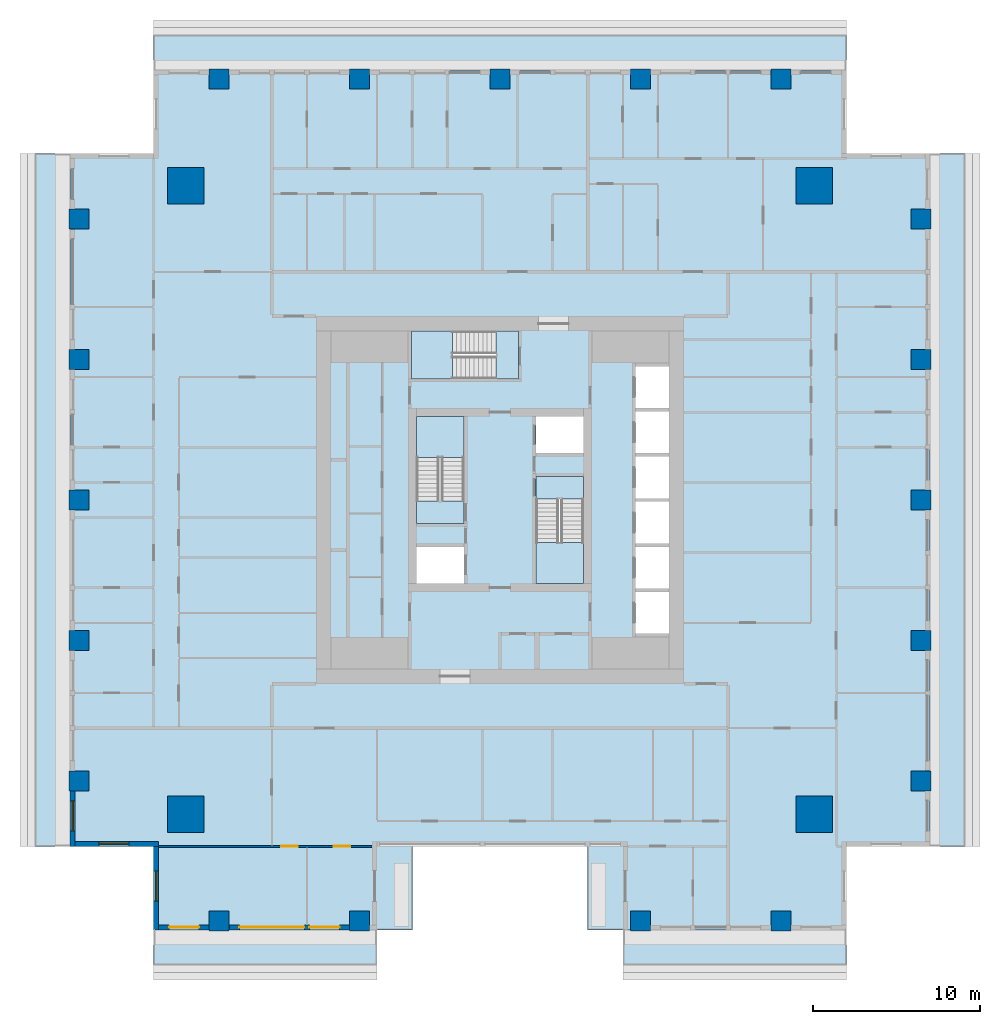
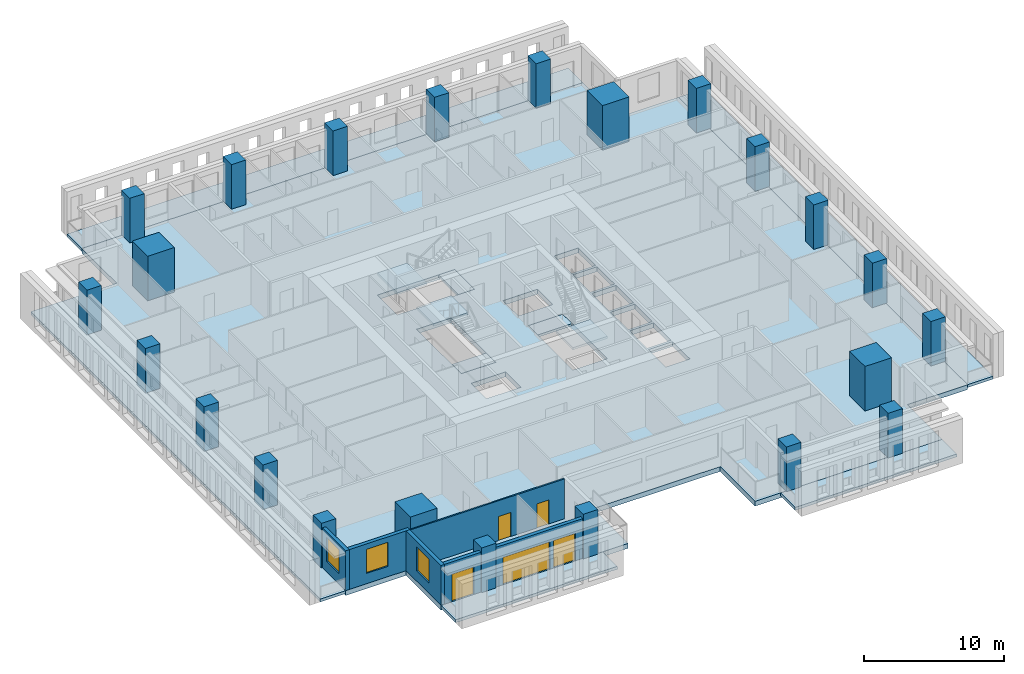
# One storey, part 1 of 15: 23 columns, 12 slabs, 6 walls, 5 doors, 3 windows, 8 openings, 3 elements without a shape of their own.
"""IFC4 building model written with IfcOpenShell, lengths in metres."""

from ifc_helpers import new_model, si_unit, direction, frame, frame_2d, origin, origin_2d, place, context, subcontext, project, spatial, polyline, rectangle, outline, extrude, material, layer, layer_set, material_profile, profile_set, type_object, element, fill, aggregate, save


model = new_model("IFC4")

# Units and contexts
model_context = context("Model", 3, precision=1e-05, world=origin(), true_north=direction((0.0, 1.0)))
body_context = subcontext(model_context, "Body", "Model", "MODEL_VIEW")
ifc_project = project(units=[si_unit("LENGTHUNIT", "METRE"), si_unit("AREAUNIT", "SQUARE_METRE"), si_unit("VOLUMEUNIT", "CUBIC_METRE"), si_unit("PLANEANGLEUNIT", "RADIAN"), si_unit("MASSUNIT", "GRAM", prefix="KILO")], contexts=[model_context])

# Site, building, storey
site_placement = place(None, origin())
site = spatial("IfcSite", under=ifc_project, at=site_placement, CompositionType="ELEMENT")
building_placement = place(site_placement, origin())
building = spatial("IfcBuilding", under=site, at=building_placement, Name="Khepri Terraces", CompositionType="ELEMENT")
storey_placement = place(building_placement, frame((0.0, 0.0, 256.199951171875)))
storey = spatial("IfcBuildingStorey", under=building, at=storey_placement, Name="L61", CompositionType="ELEMENT", Elevation=256.199951171875)

# Columns
ifc_material_1 = material(Name="Concrete C40/50", Category="concrete")
ifc_material_profile_1 = material_profile(ifc_material_1, rectangle(XDim=2.199951171875, YDim=2.199951171875, at=origin_2d()), Name="Concrete C40/50", Category="concrete")
ifc_profile_set_1 = profile_set([ifc_material_profile_1], Name="Concrete C40/50")
column_type_1 = type_object("IfcColumnType", Name="Mega column RC 2200x2200 C40/50", PredefinedType="COLUMN", material=ifc_profile_set_1)
for number, where, z_axis, x_axis, name in (
    (1, (18.800048828125, 18.800048828125, 0.0), (0.0, 0.0, 1.0), (1.0, 0.0, 0.0), "Mega column MEN L61"),
    (2, (18.800048828125, -18.800048828125, 0.0), (0.0, 0.0, 1.0), (1.0, 0.0, 0.0), "Mega column MES L61"),
    (3, (-18.800048828125, 18.800048828125, 0.0), (0.0, 0.0, 1.0), (1.0, 0.0, 0.0), "Mega column MWN L61"),
    (4, (-18.800048828125, -18.800048828125, 0.0), (0.0, 0.0, 1.0), (1.0, 0.0, 0.0), "Mega column MWS L61"),
):
    element("IfcColumn", number, at=place(storey_placement, frame(where, z_axis=z_axis, x_axis=x_axis)), inside=storey, type_object=column_type_1, Name=name, PredefinedType="COLUMN", context=body_context, shape_type="SweptSolid", body=[
        extrude(rectangle(XDim=2.199951171875, YDim=2.199951171875, at=origin_2d()), origin(), (0.0, 0.0, 1.0), 3.900146484375),
    ])
ifc_material_profile_2 = material_profile(ifc_material_1, rectangle(XDim=1.199951171875, YDim=1.199951171875, at=origin_2d()), Name="Concrete C40/50", Category="concrete")
ifc_profile_set_2 = profile_set([ifc_material_profile_2], Name="Concrete C40/50")
column_type_2 = type_object("IfcColumnType", Name="Tower column RC 1200x1200 C40/50", PredefinedType="COLUMN", material=ifc_profile_set_2)
for number, where, z_axis, x_axis, name in (
    (5, (25.199951171875, 0.0, 0.0), (0.0, 0.0, 1.0), (1.0, 0.0, 0.0), "Perimeter column PE+000b L61"),
    (6, (25.199951171875, 8.39990234375, 0.0), (0.0, 0.0, 1.0), (1.0, 0.0, 0.0), "Perimeter column PE+084b L61"),
    (7, (25.199951171875, 16.800048828125, 0.0), (0.0, 0.0, 1.0), (1.0, 0.0, 0.0), "Perimeter column PE+168a L61"),
    (8, (25.199951171875, -8.39990234375, 0.0), (0.0, 0.0, 1.0), (1.0, 0.0, 0.0), "Perimeter column PE-084b L61"),
    (9, (25.199951171875, -16.800048828125, 0.0), (0.0, 0.0, 1.0), (1.0, 0.0, 0.0), "Perimeter column PE-168a L61"),
    (10, (0.0, 25.199951171875, 0.0), (0.0, 0.0, 1.0), (1.0, 0.0, 0.0), "Perimeter column PN+000b L61"),
    (11, (-8.39990234375, 25.199951171875, 0.0), (0.0, 0.0, 1.0), (1.0, 0.0, 0.0), "Perimeter column PN+084b L61"),
    (12, (-16.800048828125, 25.199951171875, 0.0), (0.0, 0.0, 1.0), (1.0, 0.0, 0.0), "Perimeter column PN+168a L61"),
    (13, (8.39990234375, 25.199951171875, 0.0), (0.0, 0.0, 1.0), (1.0, 0.0, 0.0), "Perimeter column PN-084b L61"),
    (14, (16.800048828125, 25.199951171875, 0.0), (0.0, 0.0, 1.0), (1.0, 0.0, 0.0), "Perimeter column PN-168a L61"),
    (15, (8.39990234375, -25.199951171875, 0.0), (0.0, 0.0, 1.0), (1.0, 0.0, 0.0), "Perimeter column PS+084b L61"),
    (16, (16.800048828125, -25.199951171875, 0.0), (0.0, 0.0, 1.0), (1.0, 0.0, 0.0), "Perimeter column PS+168a L61"),
    (17, (-8.39990234375, -25.199951171875, 0.0), (0.0, 0.0, 1.0), (1.0, 0.0, 0.0), "Perimeter column PS-084b L61"),
    (18, (-16.800048828125, -25.199951171875, 0.0), (0.0, 0.0, 1.0), (1.0, 0.0, 0.0), "Perimeter column PS-168a L61"),
    (19, (-25.199951171875, 0.0, 0.0), (0.0, 0.0, 1.0), (1.0, 0.0, 0.0), "Perimeter column PW+000b L61"),
    (20, (-25.199951171875, -8.39990234375, 0.0), (0.0, 0.0, 1.0), (1.0, 0.0, 0.0), "Perimeter column PW+084b L61"),
    (21, (-25.199951171875, -16.800048828125, 0.0), (0.0, 0.0, 1.0), (1.0, 0.0, 0.0), "Perimeter column PW+168a L61"),
    (22, (-25.199951171875, 8.39990234375, 0.0), (0.0, 0.0, 1.0), (1.0, 0.0, 0.0), "Perimeter column PW-084b L61"),
    (23, (-25.199951171875, 16.800048828125, 0.0), (0.0, 0.0, 1.0), (1.0, 0.0, 0.0), "Perimeter column PW-168a L61"),
):
    element("IfcColumn", number, at=place(storey_placement, frame(where, z_axis=z_axis, x_axis=x_axis)), inside=storey, type_object=column_type_2, Name=name, PredefinedType="COLUMN", context=body_context, shape_type="SweptSolid", body=[
        extrude(rectangle(XDim=1.199951171875, YDim=1.199951171875, at=origin_2d()), origin(), (0.0, 0.0, 1.0), 3.900146484375),
    ])

# Slabs
ifc_layer_1 = layer(ifc_material_1, 0.419921875, Name="Concrete C40/50", Category="concrete")
ifc_layer_set_1 = layer_set([ifc_layer_1], Name="Concrete C40/50")
slab_type_1 = type_object("IfcSlabType", Name="Flat plate 420", PredefinedType="FLOOR", material=ifc_layer_set_1)
slab_1_placement = place(storey_placement, frame((0.0, 0.0, -0.419921875)))
element("IfcSlab", 24, at=slab_1_placement, inside=storey, type_object=slab_type_1, Name="Floor slab F01 L61", PredefinedType="FLOOR", context=body_context, shape_type="SweptSolid", body=[
    extrude(outline(polyline([(25.719970703125, -20.719970703125), (20.719970703125, -20.719970703125), (20.719970703125, -25.719970703125), (7.35009765625, -25.719970703125), (5.25, -25.719970703125), (5.25, -20.719970703125), (-5.25, -20.719970703125), (-5.25, -25.719970703125), (-7.35009765625, -25.719970703125), (-20.719970703125, -25.719970703125), (-20.719970703125, -20.719970703125), (-25.719970703125, -20.719970703125), (-25.719970703125, 20.719970703125), (-20.719970703125, 20.719970703125), (-20.719970703125, 25.719970703125), (20.719970703125, 25.719970703125), (20.719970703125, 20.719970703125), (25.719970703125, 20.719970703125), (25.719970703125, -20.719970703125)]), holes=[polyline([(2.14990234375, 2.800048828125), (5.0, 2.800048828125), (5.0, 5.0), (2.14990234375, 5.0), (2.14990234375, 2.800048828125)]), polyline([(-5.0, -2.800048828125), (-5.0, -5.0), (-2.14990234375, -5.0), (-2.14990234375, -2.800048828125), (-5.0, -2.800048828125)]), polyline([(10.10009765625, -5.5), (8.10009765625, -5.5), (8.10009765625, -8.0), (10.10009765625, -8.0), (10.10009765625, -5.5)]), polyline([(10.10009765625, -5.300048828125), (10.10009765625, -2.800048828125), (8.10009765625, -2.800048828125), (8.10009765625, -5.300048828125), (10.10009765625, -5.300048828125)]), polyline([(8.10009765625, -2.60009765625), (10.10009765625, -2.60009765625), (10.10009765625, -0.10009765625), (8.10009765625, -0.10009765625), (8.10009765625, -2.60009765625)]), polyline([(8.10009765625, 2.60009765625), (8.10009765625, 0.10009765625), (10.10009765625, 0.10009765625), (10.10009765625, 2.60009765625), (8.10009765625, 2.60009765625)]), polyline([(10.10009765625, 5.300048828125), (8.10009765625, 5.300048828125), (8.10009765625, 2.800048828125), (10.10009765625, 2.800048828125), (10.10009765625, 5.300048828125)]), polyline([(10.10009765625, 5.5), (10.10009765625, 8.0), (8.10009765625, 8.0), (8.10009765625, 5.5), (10.10009765625, 5.5)]), polyline([(-5.0, -1.39990234375), (-2.14990234375, -1.39990234375), (-2.14990234375, 5.0), (-5.0, 5.0), (-5.0, -1.39990234375)]), polyline([(5.0, -5.0), (5.0, 1.39990234375), (2.14990234375, 1.39990234375), (2.14990234375, -5.0), (5.0, -5.0)]), polyline([(-5.300048828125, 10.10009765625), (-5.300048828125, 7.25), (1.10009765625, 7.25), (1.10009765625, 10.10009765625), (-5.300048828125, 10.10009765625)])]), origin(), (0.0, 0.0, 1.0), 0.419921875),
])
ifc_material_2 = material(Name="Precast concrete C50/60 warm stone", Category="masonry")
ifc_layer_2 = layer(ifc_material_2, 0.25, Name="Precast concrete C50/60 warm stone", Category="masonry")
ifc_layer_set_2 = layer_set([ifc_layer_2], Name="Precast concrete C50/60 warm stone")
slab_type_2 = type_object("IfcSlabType", Name="SLB-BALCONY-250", PredefinedType="FLOOR", material=ifc_layer_set_2)
slab_2_placement = place(storey_placement, frame((0.0, 0.0, -0.25)))
element("IfcSlab", 25, at=slab_2_placement, inside=storey, type_object=slab_type_2, Name="Balcony slab L61 S", PredefinedType="FLOOR", context=body_context, shape_type="SweptSolid", body=[
    extrude(outline(polyline([(-17.39990234375, -25.719970703125), (-20.719970703125, -25.719970703125), (-20.719970703125, -27.820068359375), (-7.35009765625, -27.820068359375), (-7.35009765625, -25.719970703125), (-7.800048828125, -25.719970703125), (-7.800048828125, -25.800048828125), (-9.0, -25.800048828125), (-9.0, -25.719970703125), (-16.199951171875, -25.719970703125), (-16.199951171875, -25.800048828125), (-17.39990234375, -25.800048828125), (-17.39990234375, -25.719970703125)])), origin(), (0.0, 0.0, 1.0), 0.25),
])
slab_3_placement = place(storey_placement, frame((0.0, 0.0, -0.25)))
element("IfcSlab", 26, at=slab_3_placement, inside=storey, type_object=slab_type_2, Name="Balcony slab L61 S", PredefinedType="FLOOR", context=body_context, shape_type="SweptSolid", body=[
    extrude(outline(polyline([(7.800048828125, -25.719970703125), (7.35009765625, -25.719970703125), (7.35009765625, -27.820068359375), (20.719970703125, -27.820068359375), (20.719970703125, -25.719970703125), (17.39990234375, -25.719970703125), (17.39990234375, -25.800048828125), (16.199951171875, -25.800048828125), (16.199951171875, -25.719970703125), (9.0, -25.719970703125), (9.0, -25.800048828125), (7.800048828125, -25.800048828125), (7.800048828125, -25.719970703125)])), origin(), (0.0, 0.0, 1.0), 0.25),
])
slab_4_placement = place(storey_placement, frame((0.0, 0.0, -0.25)))
element("IfcSlab", 27, at=slab_4_placement, inside=storey, type_object=slab_type_2, Name="Balcony slab L61 E", PredefinedType="FLOOR", context=body_context, shape_type="SweptSolid", body=[
    extrude(outline(polyline([(25.719970703125, -17.39990234375), (25.719970703125, -20.719970703125), (27.820068359375, -20.719970703125), (27.820068359375, 20.719970703125), (25.719970703125, 20.719970703125), (25.719970703125, 17.39990234375), (25.800048828125, 17.39990234375), (25.800048828125, 16.199951171875), (25.719970703125, 16.199951171875), (25.719970703125, 9.0), (25.800048828125, 9.0), (25.800048828125, 7.800048828125), (25.719970703125, 7.800048828125), (25.719970703125, 0.60009765625), (25.800048828125, 0.60009765625), (25.800048828125, -0.60009765625), (25.719970703125, -0.60009765625), (25.719970703125, -7.800048828125), (25.800048828125, -7.800048828125), (25.800048828125, -9.0), (25.719970703125, -9.0), (25.719970703125, -16.199951171875), (25.800048828125, -16.199951171875), (25.800048828125, -17.39990234375), (25.719970703125, -17.39990234375)])), origin(), (0.0, 0.0, 1.0), 0.25),
])
slab_5_placement = place(storey_placement, frame((0.0, 0.0, -0.25)))
element("IfcSlab", 28, at=slab_5_placement, inside=storey, type_object=slab_type_2, Name="Balcony slab L61 N", PredefinedType="FLOOR", context=body_context, shape_type="SweptSolid", body=[
    extrude(outline(polyline([(17.39990234375, 25.719970703125), (20.719970703125, 25.719970703125), (20.719970703125, 27.820068359375), (-20.719970703125, 27.820068359375), (-20.719970703125, 25.719970703125), (-17.39990234375, 25.719970703125), (-17.39990234375, 25.800048828125), (-16.199951171875, 25.800048828125), (-16.199951171875, 25.719970703125), (-9.0, 25.719970703125), (-9.0, 25.800048828125), (-7.800048828125, 25.800048828125), (-7.800048828125, 25.719970703125), (-0.60009765625, 25.719970703125), (-0.60009765625, 25.800048828125), (0.60009765625, 25.800048828125), (0.60009765625, 25.719970703125), (7.800048828125, 25.719970703125), (7.800048828125, 25.800048828125), (9.0, 25.800048828125), (9.0, 25.719970703125), (16.199951171875, 25.719970703125), (16.199951171875, 25.800048828125), (17.39990234375, 25.800048828125), (17.39990234375, 25.719970703125)])), origin(), (0.0, 0.0, 1.0), 0.25),
])
slab_6_placement = place(storey_placement, frame((0.0, 0.0, -0.25)))
element("IfcSlab", 29, at=slab_6_placement, inside=storey, type_object=slab_type_2, Name="Balcony slab L61 W", PredefinedType="FLOOR", context=body_context, shape_type="SweptSolid", body=[
    extrude(outline(polyline([(-25.719970703125, 17.39990234375), (-25.719970703125, 20.719970703125), (-27.820068359375, 20.719970703125), (-27.820068359375, -20.719970703125), (-25.719970703125, -20.719970703125), (-25.719970703125, -17.39990234375), (-25.800048828125, -17.39990234375), (-25.800048828125, -16.199951171875), (-25.719970703125, -16.199951171875), (-25.719970703125, -9.0), (-25.800048828125, -9.0), (-25.800048828125, -7.800048828125), (-25.719970703125, -7.800048828125), (-25.719970703125, -0.60009765625), (-25.800048828125, -0.60009765625), (-25.800048828125, 0.60009765625), (-25.719970703125, 0.60009765625), (-25.719970703125, 7.800048828125), (-25.800048828125, 7.800048828125), (-25.800048828125, 9.0), (-25.719970703125, 9.0), (-25.719970703125, 16.199951171875), (-25.800048828125, 16.199951171875), (-25.800048828125, 17.39990234375), (-25.719970703125, 17.39990234375)])), origin(), (0.0, 0.0, 1.0), 0.25),
])

# Stair, slabs
stair_type = type_object("IfcStairType", Name="STAIR-RC-22R", PredefinedType="HALF_TURN_STAIR", material=ifc_material_1)
stair_1_placement = place(storey_placement, origin())
stair_1 = element("IfcStair", 30, at=stair_1_placement, inside=storey, type_object=stair_type, Name="L61 Exit Stair ST-1", PredefinedType="HALF_TURN_STAIR")
ifc_layer_3 = layer(ifc_material_1, 0.199951171875, Name="Concrete C40/50", Category="concrete")
ifc_layer_set_3 = layer_set([ifc_layer_3], Name="Concrete C40/50")
slab_type_3 = type_object("IfcSlabType", Name="SLB-CORE-LANDING", PredefinedType="LANDING", material=ifc_layer_set_3)
slab_7_placement = place(storey_placement, frame((0.0, 0.0, -0.199951171875)))
slab_7 = element("IfcSlab", 31, at=slab_7_placement, type_object=slab_type_3, Name="ST-1 landing 1", PredefinedType="LANDING", context=body_context, shape_type="SweptSolid", body=[
    extrude(outline(polyline([(-2.14990234375, -1.39990234375), (-2.14990234375, -0.050048828125), (-5.0, -0.050048828125), (-5.0, -1.39990234375), (-2.14990234375, -1.39990234375)])), origin(), (0.0, 0.0, 1.0), 0.199951171875),
])
slab_8_placement = place(storey_placement, frame((0.0, 0.0, 1.75)))
slab_8 = element("IfcSlab", 32, at=slab_8_placement, type_object=slab_type_3, Name="ST-1 landing 2", PredefinedType="LANDING", context=body_context, shape_type="SweptSolid", body=[
    extrude(outline(polyline([(-2.14990234375, 2.550048828125), (-2.14990234375, 5.0), (-5.0, 5.0), (-5.0, 2.550048828125), (-2.14990234375, 2.550048828125)])), origin(), (0.0, 0.0, 1.0), 0.199951171875),
])
aggregate(stair_1, [slab_7, slab_8])

stair_2_placement = place(storey_placement, origin())
stair_2 = element("IfcStair", 33, at=stair_2_placement, inside=storey, type_object=stair_type, Name="L61 Exit Stair ST-2", PredefinedType="HALF_TURN_STAIR")
slab_9_placement = place(storey_placement, frame((0.0, 0.0, -0.199951171875)))
slab_9 = element("IfcSlab", 34, at=slab_9_placement, type_object=slab_type_3, Name="ST-2 landing 1", PredefinedType="LANDING", context=body_context, shape_type="SweptSolid", body=[
    extrude(outline(polyline([(2.14990234375, 1.39990234375), (2.14990234375, 0.050048828125), (5.0, 0.050048828125), (5.0, 1.39990234375), (2.14990234375, 1.39990234375)])), origin(), (0.0, 0.0, 1.0), 0.199951171875),
])
slab_10_placement = place(storey_placement, frame((0.0, 0.0, 1.75)))
slab_10 = element("IfcSlab", 35, at=slab_10_placement, type_object=slab_type_3, Name="ST-2 landing 2", PredefinedType="LANDING", context=body_context, shape_type="SweptSolid", body=[
    extrude(outline(polyline([(2.14990234375, -2.550048828125), (2.14990234375, -5.0), (5.0, -5.0), (5.0, -2.550048828125), (2.14990234375, -2.550048828125)])), origin(), (0.0, 0.0, 1.0), 0.199951171875),
])
aggregate(stair_2, [slab_9, slab_10])

stair_3_placement = place(storey_placement, origin())
stair_3 = element("IfcStair", 36, at=stair_3_placement, inside=storey, type_object=stair_type, Name="L61 Exit Stair ST-3", PredefinedType="HALF_TURN_STAIR")
slab_11_placement = place(storey_placement, frame((0.0, 0.0, -0.199951171875)))
slab_11 = element("IfcSlab", 37, at=slab_11_placement, type_object=slab_type_3, Name="ST-3 landing 1", PredefinedType="LANDING", context=body_context, shape_type="SweptSolid", body=[
    extrude(outline(polyline([(1.10009765625, 10.10009765625), (-0.25, 10.10009765625), (-0.25, 7.25), (1.10009765625, 7.25), (1.10009765625, 10.10009765625)])), origin(), (0.0, 0.0, 1.0), 0.199951171875),
])
slab_12_placement = place(storey_placement, frame((0.0, 0.0, 1.75)))
slab_12 = element("IfcSlab", 38, at=slab_12_placement, type_object=slab_type_3, Name="ST-3 landing 2", PredefinedType="LANDING", context=body_context, shape_type="SweptSolid", body=[
    extrude(outline(polyline([(-2.85009765625, 10.10009765625), (-5.300048828125, 10.10009765625), (-5.300048828125, 7.25), (-2.85009765625, 7.25), (-2.85009765625, 10.10009765625)])), origin(), (0.0, 0.0, 1.0), 0.199951171875),
])
aggregate(stair_3, [slab_11, slab_12])

# Wall, opening, window
ifc_layer_4 = layer(ifc_material_2, 0.300048828125, Name="Precast concrete C50/60 warm stone", Category="masonry")
ifc_layer_set_4 = layer_set([ifc_layer_4], Name="Precast concrete C50/60 warm stone")
wall_type_1 = type_object("IfcWallType", Name="WL-EXT-PRECAST-300", PredefinedType="STANDARD", material=ifc_layer_set_4)
wall_1_placement = place(storey_placement, frame((-25.570068359375, -17.39990234375, 0.0), z_axis=(0.0, 0.0, 1.0), x_axis=(0.0, -1.0, 0.0)))
wall_1 = element("IfcWall", 39, at=wall_1_placement, inside=storey, type_object=wall_type_1, Name="External wall L61 W", PredefinedType="STANDARD", context=body_context, shape_type="SweptSolid", body=[
    extrude(rectangle(XDim=3.320068359375, YDim=0.300048828125, at=frame_2d((1.66015625, 0.0))), origin(), (0.0, 0.0, 1.0), 3.47998046875),
])
opening_1_placement = place(wall_1_placement, frame((0.60009765625, 0.0, 0.89990234375)))
opening_1 = element("IfcOpeningElement", 40, at=opening_1_placement, cuts=wall_1, Name="Opening W1", PredefinedType="OPENING", context=body_context, shape_type="SweptSolid", body=[
    extrude(rectangle(XDim=1.800048828125, YDim=2.10009765625, at=frame_2d((0.89990234375, 1.050048828125))), frame((0.0, 0.16015625, 0.0), z_axis=(0.0, -1.0, 0.0), x_axis=(1.0, 0.0, 0.0)), (0.0, 0.0, 1.0), 0.320068359375),
])
ifc_material_3 = material(Name="Clear glass", Category="glass")
window_type = type_object("IfcWindowType", Name="WIN-RES-1800x2100", PartitioningType="SINGLE_PANEL", PredefinedType="WINDOW", material=ifc_material_3)
window_1_placement = place(opening_1_placement, origin())
window_1 = element("IfcWindow", 41, at=window_1_placement, inside=storey, type_object=window_type, Name="Window L61 W", OverallHeight=2.10009765625, OverallWidth=1.800048828125, PartitioningType="SINGLE_PANEL", PredefinedType="WINDOW", context=body_context, shape_type="SweptSolid", body=[
    extrude(rectangle(XDim=1.800048828125, YDim=2.10009765625, at=frame_2d((0.89990234375, 1.050048828125))), frame((0.0, 0.030029296875, 0.0), z_axis=(0.0, -1.0, 0.0), x_axis=(1.0, 0.0, 0.0)), (0.0, 0.0, 1.0), 0.06005859375),
])
fill(opening_1, window_1)

wall_2_placement = place(storey_placement, frame((-25.419921875, -20.570068359375, 0.0), z_axis=(0.0, 0.0, 1.0), x_axis=(1.0, 0.0, 0.0)))
wall_2 = element("IfcWall", 42, at=wall_2_placement, inside=storey, type_object=wall_type_1, Name="External wall L61 S", PredefinedType="STANDARD", context=body_context, shape_type="SweptSolid", body=[
    extrude(rectangle(XDim=5.0, YDim=0.300048828125, at=frame_2d((2.5, 0.0))), origin(), (0.0, 0.0, 1.0), 3.47998046875),
])
opening_2_placement = place(wall_2_placement, frame((1.419921875, 0.0, 0.89990234375)))
opening_2 = element("IfcOpeningElement", 43, at=opening_2_placement, cuts=wall_2, Name="Opening W1", PredefinedType="OPENING", context=body_context, shape_type="SweptSolid", body=[
    extrude(rectangle(XDim=1.800048828125, YDim=2.10009765625, at=frame_2d((0.89990234375, 1.050048828125))), frame((0.0, 0.16015625, 0.0), z_axis=(0.0, -1.0, 0.0), x_axis=(1.0, 0.0, 0.0)), (0.0, 0.0, 1.0), 0.320068359375),
])
window_2_placement = place(opening_2_placement, origin())
window_2 = element("IfcWindow", 44, at=window_2_placement, inside=storey, type_object=window_type, Name="Window L61 S", OverallHeight=2.10009765625, OverallWidth=1.800048828125, PartitioningType="SINGLE_PANEL", PredefinedType="WINDOW", context=body_context, shape_type="SweptSolid", body=[
    extrude(rectangle(XDim=1.800048828125, YDim=2.10009765625, at=frame_2d((0.89990234375, 1.050048828125))), frame((0.0, 0.030029296875, 0.0), z_axis=(0.0, -1.0, 0.0), x_axis=(1.0, 0.0, 0.0)), (0.0, 0.0, 1.0), 0.06005859375),
])
fill(opening_2, window_2)

wall_3_placement = place(storey_placement, frame((-20.570068359375, -20.719970703125, 0.0), z_axis=(0.0, 0.0, 1.0), x_axis=(0.0, -1.0, 0.0)))
wall_3 = element("IfcWall", 45, at=wall_3_placement, inside=storey, type_object=wall_type_1, Name="External wall L61 W", PredefinedType="STANDARD", context=body_context, shape_type="SweptSolid", body=[
    extrude(rectangle(XDim=5.0, YDim=0.300048828125, at=frame_2d((2.5, 0.0))), origin(), (0.0, 0.0, 1.0), 3.47998046875),
])
opening_3_placement = place(wall_3_placement, frame((1.47998046875, 0.0, 0.89990234375)))
opening_3 = element("IfcOpeningElement", 46, at=opening_3_placement, cuts=wall_3, Name="Opening W1", PredefinedType="OPENING", context=body_context, shape_type="SweptSolid", body=[
    extrude(rectangle(XDim=1.800048828125, YDim=2.10009765625, at=frame_2d((0.89990234375, 1.050048828125))), frame((0.0, 0.16015625, 0.0), z_axis=(0.0, -1.0, 0.0), x_axis=(1.0, 0.0, 0.0)), (0.0, 0.0, 1.0), 0.320068359375),
])
window_3_placement = place(opening_3_placement, origin())
window_3 = element("IfcWindow", 47, at=window_3_placement, inside=storey, type_object=window_type, Name="Window L61 W", OverallHeight=2.10009765625, OverallWidth=1.800048828125, PartitioningType="SINGLE_PANEL", PredefinedType="WINDOW", context=body_context, shape_type="SweptSolid", body=[
    extrude(rectangle(XDim=1.800048828125, YDim=2.10009765625, at=frame_2d((0.89990234375, 1.050048828125))), frame((0.0, 0.030029296875, 0.0), z_axis=(0.0, -1.0, 0.0), x_axis=(1.0, 0.0, 0.0)), (0.0, 0.0, 1.0), 0.06005859375),
])
fill(opening_3, window_3)

# Wall, opening, door
wall_4_placement = place(storey_placement, frame((-20.419921875, -25.570068359375, 0.0), z_axis=(0.0, 0.0, 1.0), x_axis=(1.0, 0.0, 0.0)))
wall_4 = element("IfcWall", 48, at=wall_4_placement, inside=storey, type_object=wall_type_1, Name="External wall L61 S", PredefinedType="STANDARD", context=body_context, shape_type="SweptSolid", body=[
    extrude(rectangle(XDim=3.02001953125, YDim=0.300048828125, at=frame_2d((1.510009765625, 0.0))), origin(), (0.0, 0.0, 1.0), 3.47998046875),
])
opening_4_placement = place(wall_4_placement, frame((0.6201171875, 0.0, 0.0)))
opening_4 = element("IfcOpeningElement", 49, at=opening_4_placement, cuts=wall_4, Name="Opening ED-L61-15", PredefinedType="OPENING", context=body_context, shape_type="SweptSolid", body=[
    extrude(rectangle(XDim=1.800048828125, YDim=2.39990234375, at=frame_2d((0.89990234375, 1.199951171875))), frame((0.0, 0.16015625, 0.0), z_axis=(0.0, -1.0, 0.0), x_axis=(1.0, 0.0, 0.0)), (0.0, 0.0, 1.0), 0.320068359375),
])
ifc_material_4 = material(Name="Anodised aluminium bronze glazed door", Category="aluminium")
door_type_1 = type_object("IfcDoorType", Name="DR-BAL-SLIDE-1800x2400", OperationType="NOTDEFINED", PredefinedType="DOOR", material=ifc_material_4)
door_1_placement = place(opening_4_placement, origin())
door_1 = element("IfcDoor", 50, at=door_1_placement, inside=storey, type_object=door_type_1, Name="Balcony door L61 S", OperationType="SLIDING_TO_RIGHT", OverallHeight=2.39990234375, OverallWidth=1.800048828125, PredefinedType="DOOR", context=body_context, shape_type="SweptSolid", body=[
    extrude(rectangle(XDim=1.800048828125, YDim=2.39990234375, at=frame_2d((0.89990234375, 1.199951171875))), frame((0.0, 0.02490234375, 0.0), z_axis=(0.0, -1.0, 0.0), x_axis=(1.0, 0.0, 0.0)), (0.0, 0.0, 1.0), 0.050048828125),
])
fill(opening_4, door_1)

# Wall, openings, doors
wall_5_placement = place(storey_placement, frame((-16.199951171875, -25.570068359375, 0.0), z_axis=(0.0, 0.0, 1.0), x_axis=(1.0, 0.0, 0.0)))
wall_5 = element("IfcWall", 51, at=wall_5_placement, inside=storey, type_object=wall_type_1, Name="External wall L61 S", PredefinedType="STANDARD", context=body_context, shape_type="SweptSolid", body=[
    extrude(rectangle(XDim=7.199951171875, YDim=0.300048828125, at=frame_2d((3.60009765625, 0.0))), origin(), (0.0, 0.0, 1.0), 3.47998046875),
])
opening_5_placement = place(wall_5_placement, frame((0.60009765625, 0.0, 0.0)))
opening_5 = element("IfcOpeningElement", 52, at=opening_5_placement, cuts=wall_5, Name="Opening ED-L61-16", PredefinedType="OPENING", context=body_context, shape_type="SweptSolid", body=[
    extrude(rectangle(XDim=3.89990234375, YDim=2.39990234375, at=frame_2d((1.949951171875, 1.199951171875))), frame((0.0, 0.16015625, 0.0), z_axis=(0.0, -1.0, 0.0), x_axis=(1.0, 0.0, 0.0)), (0.0, 0.0, 1.0), 0.320068359375),
])
opening_6_placement = place(wall_5_placement, frame((4.800048828125, 0.0, 0.0)))
opening_6 = element("IfcOpeningElement", 53, at=opening_6_placement, cuts=wall_5, Name="Opening ED-L61-17", PredefinedType="OPENING", context=body_context, shape_type="SweptSolid", body=[
    extrude(rectangle(XDim=1.800048828125, YDim=2.39990234375, at=frame_2d((0.89990234375, 1.199951171875))), frame((0.0, 0.16015625, 0.0), z_axis=(0.0, -1.0, 0.0), x_axis=(1.0, 0.0, 0.0)), (0.0, 0.0, 1.0), 0.320068359375),
])
door_2_placement = place(opening_6_placement, origin())
door_2 = element("IfcDoor", 54, at=door_2_placement, inside=storey, type_object=door_type_1, Name="Balcony door L61 S", OperationType="SLIDING_TO_RIGHT", OverallHeight=2.39990234375, OverallWidth=1.800048828125, PredefinedType="DOOR", context=body_context, shape_type="SweptSolid", body=[
    extrude(rectangle(XDim=1.800048828125, YDim=2.39990234375, at=frame_2d((0.89990234375, 1.199951171875))), frame((0.0, 0.02490234375, 0.0), z_axis=(0.0, -1.0, 0.0), x_axis=(1.0, 0.0, 0.0)), (0.0, 0.0, 1.0), 0.050048828125),
])
fill(opening_6, door_2)
door_type_2 = type_object("IfcDoorType", Name="DR-BAL-SLIDE-3900x2400", OperationType="NOTDEFINED", PredefinedType="DOOR", material=ifc_material_4)
door_3_placement = place(opening_5_placement, origin())
door_3 = element("IfcDoor", 55, at=door_3_placement, inside=storey, type_object=door_type_2, Name="Balcony door L61 S", OperationType="SLIDING_TO_LEFT", OverallHeight=2.39990234375, OverallWidth=3.89990234375, PredefinedType="DOOR", context=body_context, shape_type="SweptSolid", body=[
    extrude(rectangle(XDim=3.89990234375, YDim=2.39990234375, at=frame_2d((1.949951171875, 1.199951171875))), frame((0.0, 0.02490234375, 0.0), z_axis=(0.0, -1.0, 0.0), x_axis=(1.0, 0.0, 0.0)), (0.0, 0.0, 1.0), 0.050048828125),
])
fill(opening_5, door_3)

ifc_material_5 = material(Name="Gypsum plasterboard partition")
ifc_layer_5 = layer(ifc_material_5, 0.1201171875, Name="Gypsum plasterboard partition")
ifc_layer_set_5 = layer_set([ifc_layer_5], Name="Gypsum plasterboard partition")
wall_type_2 = type_object("IfcWallType", Name="WL-PART-120", PredefinedType="PARTITIONING", material=ifc_layer_set_5)
wall_6_placement = place(storey_placement, frame((-20.419921875, -20.719970703125, 0.0), z_axis=(0.0, 0.0, 1.0), x_axis=(1.0, 0.0, 0.0)))
wall_6 = element("IfcWall", 56, at=wall_6_placement, inside=storey, type_object=wall_type_2, Name="Partition P-004 L61", PredefinedType="PARTITIONING", context=body_context, shape_type="SweptSolid", body=[
    extrude(rectangle(XDim=12.77001953125, YDim=0.1201171875, at=frame_2d((6.385009765625, 0.0))), origin(), (0.0, 0.0, 1.0), 3.47998046875),
])
opening_7_placement = place(wall_6_placement, frame((7.320068359375, 0.0, 0.0)))
opening_7 = element("IfcOpeningElement", 57, at=opening_7_placement, cuts=wall_6, Name="Opening D2", PredefinedType="OPENING", context=body_context, shape_type="SweptSolid", body=[
    extrude(rectangle(XDim=1.0, YDim=2.10009765625, at=frame_2d((0.5, 1.050048828125))), frame((0.0, 0.070068359375, 0.0), z_axis=(0.0, -1.0, 0.0), x_axis=(1.0, 0.0, 0.0)), (0.0, 0.0, 1.0), 0.14013671875),
])
opening_8_placement = place(wall_6_placement, frame((10.469970703125, 0.0, 0.0)))
opening_8 = element("IfcOpeningElement", 58, at=opening_8_placement, cuts=wall_6, Name="Opening D2", PredefinedType="OPENING", context=body_context, shape_type="SweptSolid", body=[
    extrude(rectangle(XDim=1.0, YDim=2.10009765625, at=frame_2d((0.5, 1.050048828125))), frame((0.0, 0.070068359375, 0.0), z_axis=(0.0, -1.0, 0.0), x_axis=(1.0, 0.0, 0.0)), (0.0, 0.0, 1.0), 0.14013671875),
])
ifc_material_6 = material(Name="Timber door leaf, living room door", Category="wood")
door_type_3 = type_object("IfcDoorType", Name="DR-INT-1000", OperationType="NOTDEFINED", PredefinedType="DOOR", material=ifc_material_6)
door_4_placement = place(opening_7_placement, frame((1.0, 0.0, 0.0), z_axis=(0.0, 0.0, 1.0), x_axis=(-1.0, 0.0, 0.0)))
door_4 = element("IfcDoor", 59, at=door_4_placement, inside=storey, type_object=door_type_3, Name="Door Living Room", OperationType="SINGLE_SWING_LEFT", OverallHeight=2.10009765625, OverallWidth=1.0, PredefinedType="DOOR", context=body_context, shape_type="SweptSolid", body=[
    extrude(rectangle(XDim=1.0, YDim=2.10009765625, at=frame_2d((0.5, 1.050048828125))), frame((0.0, 0.02490234375, 0.0), z_axis=(0.0, -1.0, 0.0), x_axis=(1.0, 0.0, 0.0)), (0.0, 0.0, 1.0), 0.050048828125),
])
fill(opening_7, door_4)
door_5_placement = place(opening_8_placement, frame((1.0, 0.0, 0.0), z_axis=(0.0, 0.0, 1.0), x_axis=(-1.0, 0.0, 0.0)))
door_5 = element("IfcDoor", 60, at=door_5_placement, inside=storey, type_object=door_type_3, Name="Door Sun Lounge", OperationType="SINGLE_SWING_LEFT", OverallHeight=2.10009765625, OverallWidth=1.0, PredefinedType="DOOR", context=body_context, shape_type="SweptSolid", body=[
    extrude(rectangle(XDim=1.0, YDim=2.10009765625, at=frame_2d((0.5, 1.050048828125))), frame((0.0, 0.02490234375, 0.0), z_axis=(0.0, -1.0, 0.0), x_axis=(1.0, 0.0, 0.0)), (0.0, 0.0, 1.0), 0.050048828125),
])
fill(opening_8, door_5)

save(model, "model.ifc")
